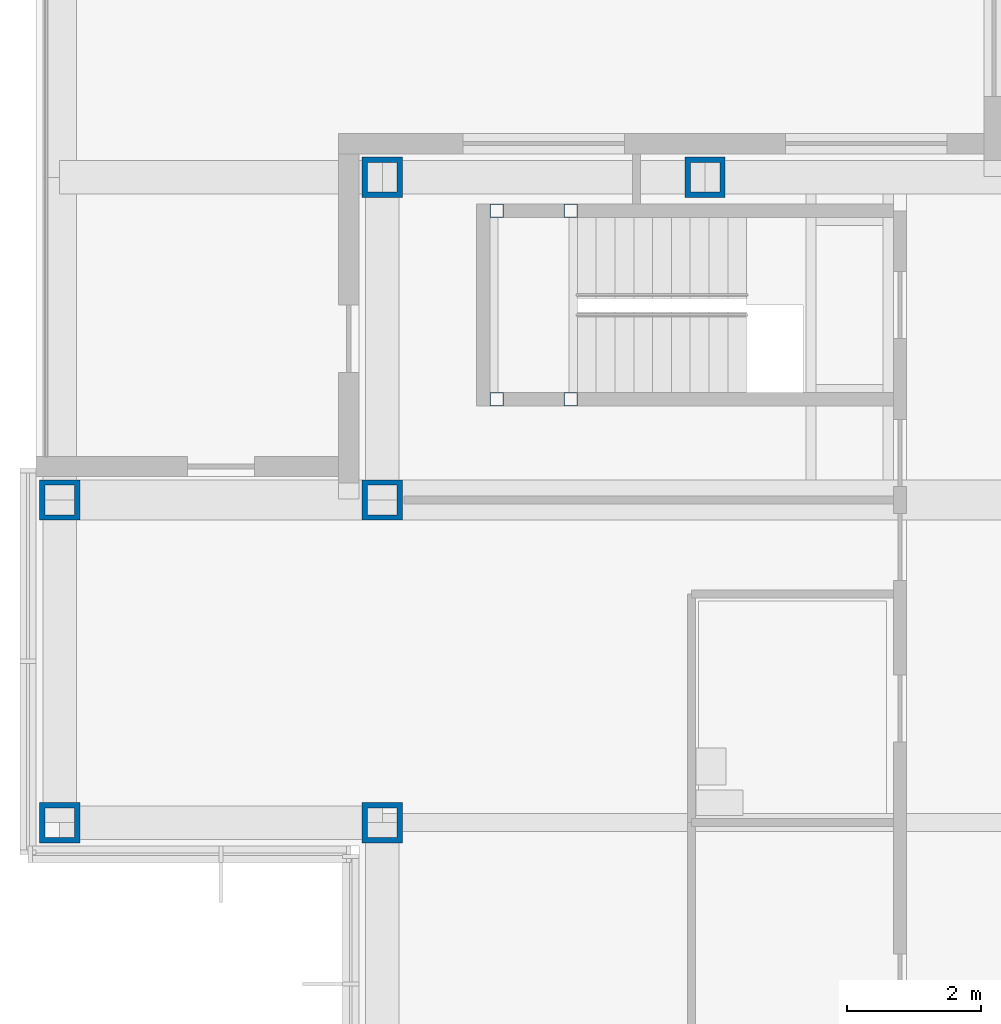
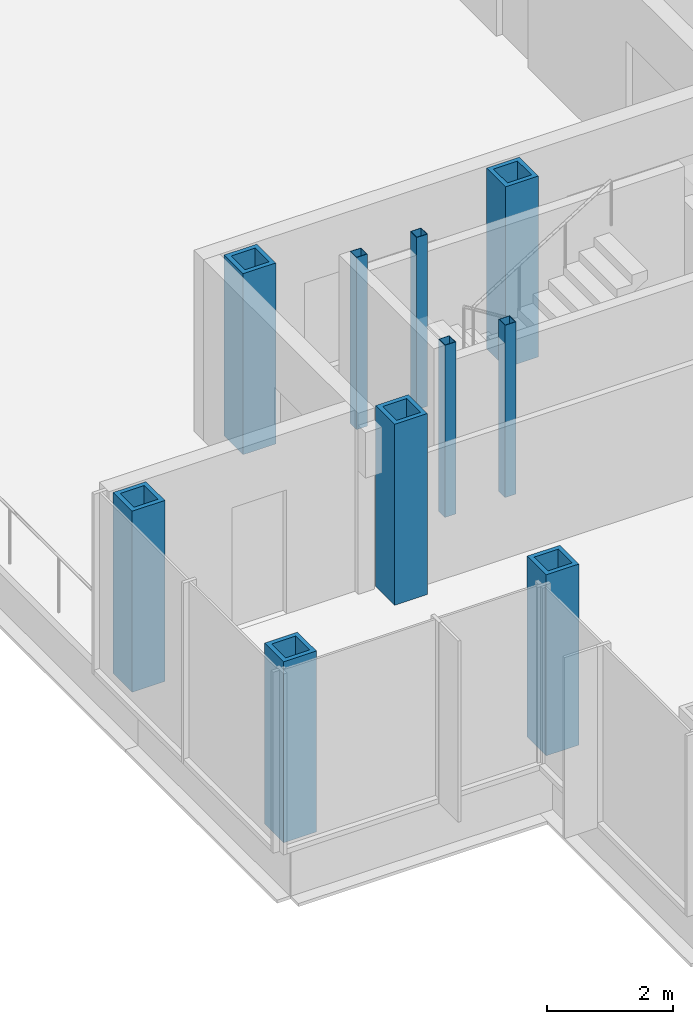
# One storey, part 3 of 17: 10 columns.
"""IFC4 building model written with IfcOpenShell, lengths in metres."""

from ifc_helpers import new_model, si_unit, direction, frame, origin, origin_2d, place, context, subcontext, project, spatial, hollow_rectangle, extrude, material, material_profile, profile_set, type_object, element, save


model = new_model("IFC4")

# Units and contexts
model_context = context("Model", 3, precision=1e-05, world=origin(), true_north=direction((0.0, 1.0)))
body_context = subcontext(model_context, "Body", "Model", "MODEL_VIEW")
ifc_project = project(units=[si_unit("LENGTHUNIT", "METRE"), si_unit("AREAUNIT", "SQUARE_METRE"), si_unit("VOLUMEUNIT", "CUBIC_METRE"), si_unit("PLANEANGLEUNIT", "RADIAN"), si_unit("MASSUNIT", "GRAM", prefix="KILO")], contexts=[model_context])

# Site, building, storey
site_placement = place(None, origin())
site = spatial("IfcSite", under=ifc_project, at=site_placement, CompositionType="ELEMENT")
building_placement = place(site_placement, origin())
building = spatial("IfcBuilding", under=site, at=building_placement, Name="Kvirike Care Tower", CompositionType="ELEMENT")
storey_placement = place(building_placement, frame((0.0, 0.0, 141.0)))
storey = spatial("IfcBuildingStorey", under=building, at=storey_placement, Name="L38", CompositionType="ELEMENT", Elevation=141.0)

# Columns
ifc_material_1 = material(Name="Steel S460", Category="steel")
ifc_material_profile_1 = material_profile(ifc_material_1, hollow_rectangle(XDim=0.60009765625, YDim=0.60009765625, WallThickness=0.080078125, at=origin_2d()), Name="BX 600x600x80")
ifc_profile_set_1 = profile_set([ifc_material_profile_1], Name="Steel S460")
column_type_1 = type_object("IfcColumnType", Name="COLUMN BX 600x600x80", PredefinedType="COLUMN", material=ifc_profile_set_1)
for number, where, z_axis, x_axis, name in (
    (1, (0.0, 33.60009765625, 0.0), (0.0, 0.0, 1.0), (0.0, 1.0, 0.0), "Column H3 L38"),
    (2, (0.0, 38.39990234375, 0.0), (0.0, 0.0, 1.0), (0.0, 1.0, 0.0), "Column J3 L38"),
    (3, (4.800048828125, 33.60009765625, 0.0), (0.0, 0.0, 1.0), (0.0, 1.0, 0.0), "Column H4 L38"),
    (4, (4.800048828125, 38.39990234375, 0.0), (0.0, 0.0, 1.0), (0.0, 1.0, 0.0), "Column J4 L38"),
    (5, (4.800048828125, 43.199951171875, 0.0), (0.0, 0.0, 1.0), (0.0, 1.0, 0.0), "Column K4 L38"),
    (6, (9.60009765625, 43.199951171875, 0.0), (0.0, 0.0, 1.0), (0.0, 1.0, 0.0), "Column K5 L38"),
):
    element("IfcColumn", number, at=place(storey_placement, frame(where, z_axis=z_axis, x_axis=x_axis)), inside=storey, type_object=column_type_1, Name=name, PredefinedType="COLUMN", context=body_context, shape_type="SweptSolid", body=[
        extrude(hollow_rectangle(XDim=0.60009765625, YDim=0.60009765625, WallThickness=0.080078125, at=origin_2d()), origin(), (0.0, 0.0, 1.0), 3.5),
    ])
ifc_material_2 = material(Name="Steel S460", Category="steel")
ifc_material_profile_2 = material_profile(ifc_material_2, hollow_rectangle(XDim=0.199951171875, YDim=0.199951171875, WallThickness=0.008056640625, at=origin_2d()), Name="SHS 200x200x8")
ifc_profile_set_2 = profile_set([ifc_material_profile_2], Name="Steel S460")
column_type_2 = type_object("IfcColumnType", Name="STAIR POST SHS 200x200x8", PredefinedType="COLUMN", material=ifc_profile_set_2)
for number, where, z_axis, x_axis, name in (
    (7, (6.5, 42.699951171875, 0.0), (0.0, 0.0, 1.0), (1.0, 0.0, 0.0), "Stair 1 post 1 L38"),
    (8, (6.5, 39.89990234375, 0.0), (0.0, 0.0, 1.0), (1.0, 0.0, 0.0), "Stair 1 post 2 L38"),
    (9, (7.60009765625, 42.699951171875, 0.0), (0.0, 0.0, 1.0), (1.0, 0.0, 0.0), "Stair 1 post 3 L38"),
    (10, (7.60009765625, 39.89990234375, 0.0), (0.0, 0.0, 1.0), (1.0, 0.0, 0.0), "Stair 1 post 4 L38"),
):
    element("IfcColumn", number, at=place(storey_placement, frame(where, z_axis=z_axis, x_axis=x_axis)), inside=storey, type_object=column_type_2, Name=name, PredefinedType="COLUMN", context=body_context, shape_type="SweptSolid", body=[
        extrude(hollow_rectangle(XDim=0.199951171875, YDim=0.199951171875, WallThickness=0.008056640625, at=origin_2d()), origin(), (0.0, 0.0, 1.0), 3.330078125),
    ])

save(model, "model.ifc")
